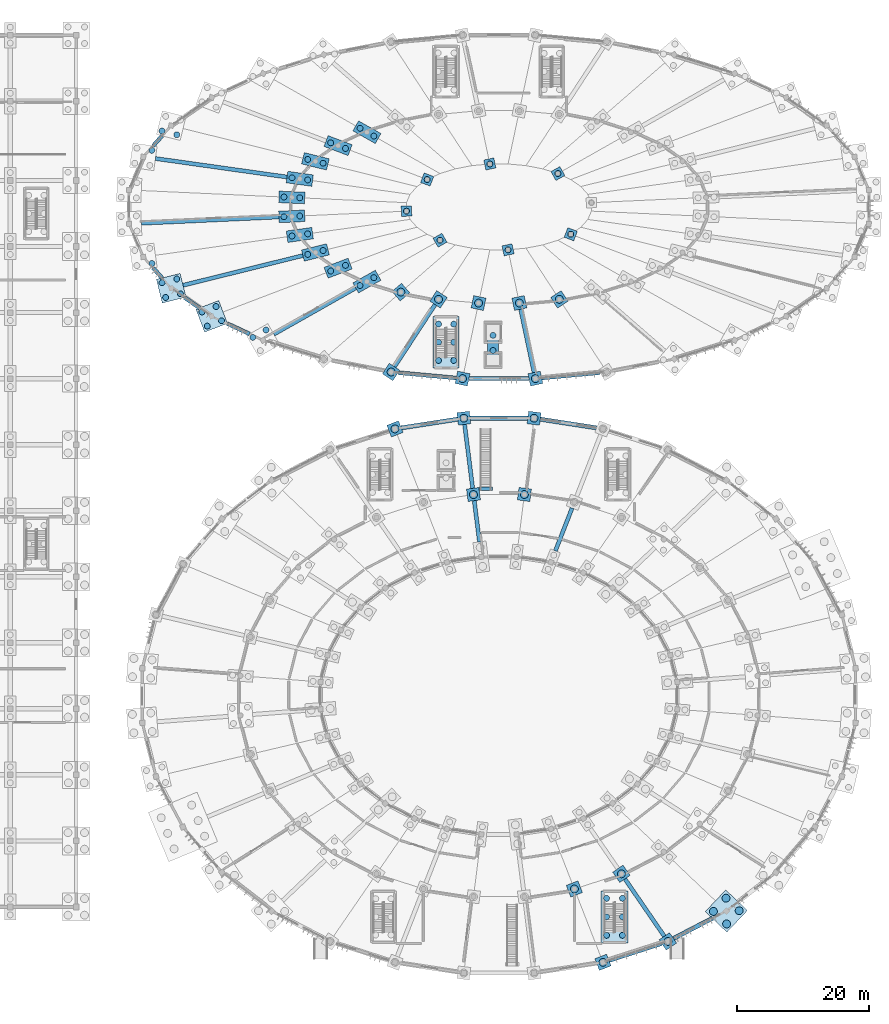
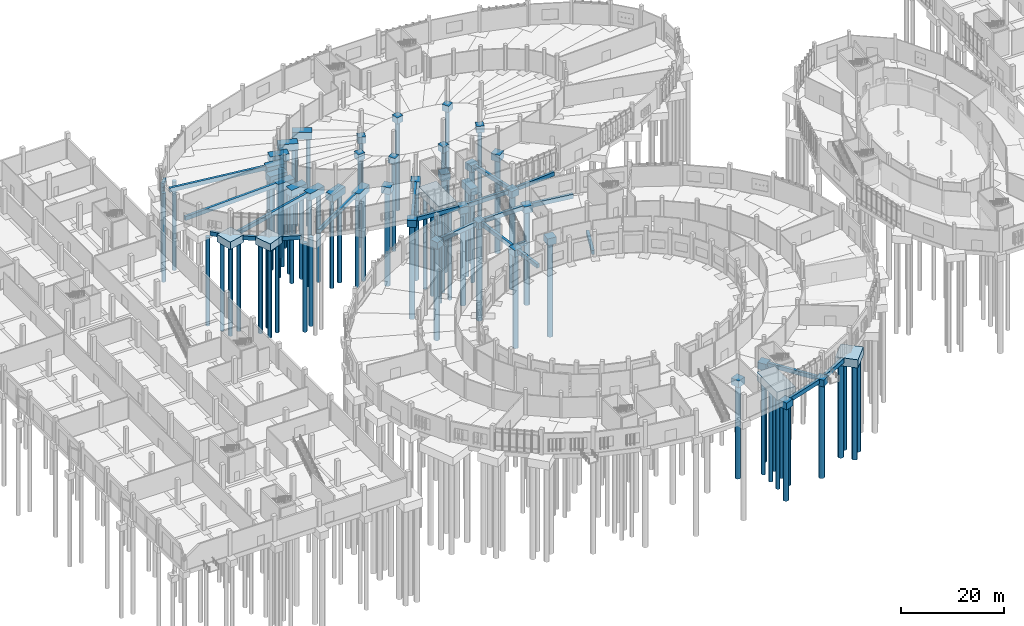
# One storey, part 6 of 140: 76 piles, 63 footings.
"""IFC4 building model written with IfcOpenShell, lengths in metres."""

from ifc_helpers import new_model, si_unit, direction, frame, origin, origin_2d, place, context, subcontext, project, spatial, rectangle, circle, extrude, material, layer, layer_set, material_profile, profile_set, type_object, element, save


model = new_model("IFC4")

# Units and contexts
model_context = context("Model", 3, precision=1e-05, world=origin(), true_north=direction((0.0, 1.0)))
body_context = subcontext(model_context, "Body", "Model", "MODEL_VIEW")
ifc_project = project(units=[si_unit("LENGTHUNIT", "METRE"), si_unit("AREAUNIT", "SQUARE_METRE"), si_unit("VOLUMEUNIT", "CUBIC_METRE"), si_unit("PLANEANGLEUNIT", "RADIAN"), si_unit("MASSUNIT", "GRAM", prefix="KILO")], contexts=[model_context])

# Site, building, storey
site_placement = place(None, origin())
site = spatial("IfcSite", under=ifc_project, at=site_placement, CompositionType="ELEMENT")
building_placement = place(site_placement, origin())
building = spatial("IfcBuilding", under=site, at=building_placement, Name="Corvandel Quay Wholesale Market", CompositionType="ELEMENT")
storey_placement = place(building_placement, origin())
storey = spatial("IfcBuildingStorey", under=building, at=storey_placement, Name="L00", CompositionType="ELEMENT", Elevation=0.0)

# Piles
ifc_material = material(Name="Concrete C40/50", Category="concrete")
ifc_material_profile_1 = material_profile(ifc_material, circle(Radius=0.60009765625, at=origin_2d()), Name="RC-PILE-D1200")
ifc_profile_set_1 = profile_set([ifc_material_profile_1], Name="Concrete C40/50")
pile_type_1 = type_object("IfcPileType", Name="Bored Pile D1200 L22.2", PredefinedType="BORED", material=ifc_profile_set_1)
for number, where, z_axis, x_axis, name in (
    (1, (119.319091796875, 84.0, -1.5), (0.0, 0.0, -1.0), (1.0, 0.0, 0.0), "Bored Pile PIL-0177"),
    (2, (117.85595703125, 72.449951171875, -1.5), (0.0, 0.0, -1.0), (1.0, 0.0, 0.0), "Bored Pile PIL-0178"),
    (3, (108.680908203125, 84.0, -1.5), (0.0, 0.0, -1.0), (1.0, 0.0, 0.0), "Bored Pile PIL-0181"),
    (4, (110.14404296875, 72.449951171875, -1.5), (0.0, 0.0, -1.0), (1.0, 0.0, 0.0), "Bored Pile PIL-0182"),
    (5, (98.2490234375, 82.385986328125, -1.5), (0.0, 0.0, -1.0), (1.0, 0.0, 0.0), "Bored Pile PIL-0185"),
    (6, (129.7509765625, 1.614013671875, -1.5), (0.0, 0.0, -1.0), (1.0, 0.0, 0.0), "Bored Pile PIL-0287"),
    (7, (125.419921875, 12.719970703125, -1.5), (0.0, 0.0, -1.0), (1.0, 0.0, 0.0), "Bored Pile PIL-0288"),
    (8, (139.5791015625, 4.780029296875, -1.5), (0.0, 0.0, -1.0), (1.0, 0.0, 0.0), "Bored Pile PIL-0291"),
    (9, (132.5439453125, 15.01611328125, -1.5), (0.0, 0.0, -1.0), (1.0, 0.0, 0.0), "Bored Pile PIL-0292"),
    (10, (148.47509765625, 7.425048828125, -1.860107421875), (0.0, 0.0, -1.0), (1.0, 0.0, 0.0), "Bored Pile PIL-0295"),
    (11, (150.3740234375, 9.427978515625, -1.860107421875), (0.0, 0.0, -1.0), (1.0, 0.0, 0.0), "Bored Pile PIL-0296"),
    (12, (146.471923828125, 9.323974609375, -1.860107421875), (0.0, 0.0, -1.0), (1.0, 0.0, 0.0), "Bored Pile PIL-0297"),
    (13, (148.37109375, 11.326904296875, -1.860107421875), (0.0, 0.0, -1.0), (1.0, 0.0, 0.0), "Bored Pile PIL-0298"),
    (14, (99.14501953125, 103.096923828125, -1.5), (0.0, 0.0, -1.0), (1.0, 0.0, 0.0), "Bored Pile PIL-0452"),
    (15, (97.6650390625, 90.9990234375, -1.5), (0.0, 0.0, -1.0), (1.0, 0.0, 0.0), "Bored Pile PIL-0453"),
    (16, (104.85302734375, 102.0, -1.5), (0.0, 0.0, -1.0), (1.0, 0.0, 0.0), "Bored Pile PIL-0454"),
    (17, (108.48388671875, 90.0, -1.5), (0.0, 0.0, -1.0), (1.0, 0.0, 0.0), "Bored Pile PIL-0455"),
    (18, (110.910888671875, 101.43994140625, -1.5), (0.0, 0.0, -1.0), (1.0, 0.0, 0.0), "Bored Pile PIL-0456"),
    (19, (119.51611328125, 90.0, -1.5), (0.0, 0.0, -1.0), (1.0, 0.0, 0.0), "Bored Pile PIL-0457"),
    (20, (117.089111328125, 101.43994140625, -1.5), (0.0, 0.0, -1.0), (1.0, 0.0, 0.0), "Bored Pile PIL-0458"),
    (21, (123.14697265625, 102.0, -1.5), (0.0, 0.0, -1.0), (1.0, 0.0, 0.0), "Bored Pile PIL-0461"),
):
    element("IfcPile", number, at=place(storey_placement, frame(where, z_axis=z_axis, x_axis=x_axis)), inside=storey, type_object=pile_type_1, Name=name, PredefinedType="BORED", context=body_context, shape_type="SweptSolid", body=[
        extrude(circle(Radius=0.60009765625, at=origin_2d()), origin(), (0.0, 0.0, 1.0), 22.199951171875),
    ])
ifc_material_profile_2 = material_profile(ifc_material, circle(Radius=0.449951171875, at=origin_2d()), Name="RC-PILE-D900")
ifc_profile_set_2 = profile_set([ifc_material_profile_2], Name="Concrete C40/50")
pile_type_2 = type_object("IfcPileType", Name="Bored Pile D900 L21.0", PredefinedType="BORED", material=ifc_profile_set_2)
for number, where, z_axis, x_axis, name in (
    (22, (113.10009765625, 94.25, -1.5), (0.0, 0.0, -1.0), (1.0, 0.0, 0.0), "Bored Pile PIL-0015"),
    (23, (113.10009765625, 96.550048828125, -1.5), (0.0, 0.0, -1.0), (1.0, 0.0, 0.0), "Bored Pile PIL-0016"),
    (24, (122.924072265625, 121.049072265625, -1.39990234375), (0.0, 0.0, -1.0), (1.0, 0.0, 0.0), "Bored Pile PIL-0366"),
    (25, (112.62109375, 122.5, -1.39990234375), (0.0, 0.0, -1.0), (1.0, 0.0, 0.0), "Bored Pile PIL-0379"),
    (26, (95.052978515625, 126.718017578125, -1.550048828125), (0.0, 0.0, -1.0), (1.0, 0.0, 0.0), "Bored Pile PIL-0392"),
    (27, (92.965087890625, 127.89990234375, -1.550048828125), (0.0, 0.0, -1.0), (1.0, 0.0, 0.0), "Bored Pile PIL-0393"),
    (28, (90.761962890625, 124.85400390625, -1.550048828125), (0.0, 0.0, -1.0), (1.0, 0.0, 0.0), "Bored Pile PIL-0398"),
    (29, (88.52001953125, 125.7080078125, -1.550048828125), (0.0, 0.0, -1.0), (1.0, 0.0, 0.0), "Bored Pile PIL-0399"),
    (30, (103.125, 120.14404296875, -1.39990234375), (0.0, 0.0, -1.0), (1.0, 0.0, 0.0), "Bored Pile PIL-0400"),
    (31, (65.2119140625, 126.923095703125, -1.64990234375), (0.0, 0.0, -1.0), (1.0, 0.0, 0.0), "Bored Pile PIL-0401"),
    (32, (62.97998046875, 127.47705078125, -1.64990234375), (0.0, 0.0, -1.0), (1.0, 0.0, 0.0), "Bored Pile PIL-0403"),
    (33, (87.3740234375, 122.60791015625, -1.550048828125), (0.0, 0.0, -1.0), (1.0, 0.0, 0.0), "Bored Pile PIL-0405"),
    (34, (85.0439453125, 123.18603515625, -1.550048828125), (0.0, 0.0, -1.0), (1.0, 0.0, 0.0), "Bored Pile PIL-0406"),
    (35, (61.450927734375, 124.56201171875, -1.64990234375), (0.0, 0.0, -1.0), (1.0, 0.0, 0.0), "Bored Pile PIL-0408"),
    (36, (85.032958984375, 120.080078125, -1.550048828125), (0.0, 0.0, -1.0), (1.0, 0.0, 0.0), "Bored Pile PIL-0411"),
    (37, (82.656982421875, 120.4140625, -1.550048828125), (0.0, 0.0, -1.0), (1.0, 0.0, 0.0), "Bored Pile PIL-0412"),
    (38, (83.839111328125, 117.37890625, -1.550048828125), (0.0, 0.0, -1.0), (1.0, 0.0, 0.0), "Bored Pile PIL-0417"),
    (39, (81.44091796875, 117.489013671875, -1.550048828125), (0.0, 0.0, -1.0), (1.0, 0.0, 0.0), "Bored Pile PIL-0418"),
    (40, (83.839111328125, 114.62109375, -1.550048828125), (0.0, 0.0, -1.0), (1.0, 0.0, 0.0), "Bored Pile PIL-0423"),
    (41, (81.44091796875, 114.510986328125, -1.550048828125), (0.0, 0.0, -1.0), (1.0, 0.0, 0.0), "Bored Pile PIL-0424"),
    (42, (100.0, 115.360107421875, -1.39990234375), (0.0, 0.0, -1.0), (1.0, 0.0, 0.0), "Bored Pile PIL-0425"),
    (43, (61.450927734375, 107.43798828125, -1.64990234375), (0.0, 0.0, -1.0), (1.0, 0.0, 0.0), "Bored Pile PIL-0426"),
    (44, (85.032958984375, 111.919921875, -1.550048828125), (0.0, 0.0, -1.0), (1.0, 0.0, 0.0), "Bored Pile PIL-0430"),
    (45, (82.656982421875, 111.5859375, -1.550048828125), (0.0, 0.0, -1.0), (1.0, 0.0, 0.0), "Bored Pile PIL-0431"),
    (46, (65.76611328125, 102.844970703125, -1.64990234375), (0.0, 0.0, -1.0), (1.0, 0.0, 0.0), "Bored Pile PIL-0432"),
    (47, (65.2119140625, 105.076904296875, -1.64990234375), (0.0, 0.0, -1.0), (1.0, 0.0, 0.0), "Bored Pile PIL-0433"),
    (48, (63.533935546875, 102.291015625, -1.64990234375), (0.0, 0.0, -1.0), (1.0, 0.0, 0.0), "Bored Pile PIL-0434"),
    (49, (62.97998046875, 104.52294921875, -1.64990234375), (0.0, 0.0, -1.0), (1.0, 0.0, 0.0), "Bored Pile PIL-0435"),
    (50, (87.3740234375, 109.39208984375, -1.550048828125), (0.0, 0.0, -1.0), (1.0, 0.0, 0.0), "Bored Pile PIL-0436"),
    (51, (85.0439453125, 108.81396484375, -1.550048828125), (0.0, 0.0, -1.0), (1.0, 0.0, 0.0), "Bored Pile PIL-0437"),
    (52, (71.986083984375, 98.760986328125, -1.64990234375), (0.0, 0.0, -1.0), (1.0, 0.0, 0.0), "Bored Pile PIL-0438"),
    (53, (71.1669921875, 100.909912109375, -1.64990234375), (0.0, 0.0, -1.0), (1.0, 0.0, 0.0), "Bored Pile PIL-0439"),
    (54, (69.8369140625, 97.94189453125, -1.64990234375), (0.0, 0.0, -1.0), (1.0, 0.0, 0.0), "Bored Pile PIL-0440"),
    (55, (69.01806640625, 100.091064453125, -1.64990234375), (0.0, 0.0, -1.0), (1.0, 0.0, 0.0), "Bored Pile PIL-0441"),
    (56, (90.761962890625, 107.14599609375, -1.550048828125), (0.0, 0.0, -1.0), (1.0, 0.0, 0.0), "Bored Pile PIL-0442"),
    (57, (88.52001953125, 106.2919921875, -1.550048828125), (0.0, 0.0, -1.0), (1.0, 0.0, 0.0), "Bored Pile PIL-0443"),
    (58, (78.737060546875, 97.37109375, -1.64990234375), (0.0, 0.0, -1.0), (1.0, 0.0, 0.0), "Bored Pile PIL-0445"),
    (59, (76.735107421875, 96.239013671875, -1.64990234375), (0.0, 0.0, -1.0), (1.0, 0.0, 0.0), "Bored Pile PIL-0447"),
    (60, (95.052978515625, 105.281982421875, -1.550048828125), (0.0, 0.0, -1.0), (1.0, 0.0, 0.0), "Bored Pile PIL-0448"),
    (61, (92.965087890625, 104.10009765625, -1.550048828125), (0.0, 0.0, -1.0), (1.0, 0.0, 0.0), "Bored Pile PIL-0449"),
    (62, (105.075927734375, 110.950927734375, -1.39990234375), (0.0, 0.0, -1.0), (1.0, 0.0, 0.0), "Bored Pile PIL-0450"),
    (63, (115.37890625, 109.5, -1.39990234375), (0.0, 0.0, -1.0), (1.0, 0.0, 0.0), "Bored Pile PIL-0459"),
    (64, (124.875, 111.85595703125, -1.39990234375), (0.0, 0.0, -1.0), (1.0, 0.0, 0.0), "Bored Pile PIL-0480"),
):
    element("IfcPile", number, at=place(storey_placement, frame(where, z_axis=z_axis, x_axis=x_axis)), inside=storey, type_object=pile_type_2, Name=name, PredefinedType="BORED", context=body_context, shape_type="SweptSolid", body=[
        extrude(circle(Radius=0.449951171875, at=origin_2d()), origin(), (0.0, 0.0, 1.0), 21.0),
    ])
ifc_material_profile_3 = material_profile(ifc_material, circle(Radius=0.449951171875, at=origin_2d()), Name="RC-PILE-D900")
ifc_profile_set_3 = profile_set([ifc_material_profile_3], Name="Concrete C40/50")
pile_type_3 = type_object("IfcPileType", Name="Bored Pile D900 L21.8", PredefinedType="BORED", material=ifc_profile_set_3)
for number, where, z_axis, x_axis, name in (
    (65, (104.85009765625, 92.75, -1.800048828125), (0.0, 0.0, -1.0), (1.0, 0.0, 0.0), "Bored Pile PIL-0009"),
    (66, (107.14990234375, 92.75, -1.800048828125), (0.0, 0.0, -1.0), (1.0, 0.0, 0.0), "Bored Pile PIL-0010"),
    (67, (104.85009765625, 95.5, -1.800048828125), (0.0, 0.0, -1.0), (1.0, 0.0, 0.0), "Bored Pile PIL-0011"),
    (68, (107.14990234375, 95.5, -1.800048828125), (0.0, 0.0, -1.0), (1.0, 0.0, 0.0), "Bored Pile PIL-0012"),
    (69, (104.85009765625, 98.25, -1.800048828125), (0.0, 0.0, -1.0), (1.0, 0.0, 0.0), "Bored Pile PIL-0013"),
    (70, (107.14990234375, 98.25, -1.800048828125), (0.0, 0.0, -1.0), (1.0, 0.0, 0.0), "Bored Pile PIL-0014"),
    (71, (130.300048828125, 5.699951171875, -1.85009765625), (0.0, 0.0, -1.0), (1.0, 0.0, 0.0), "Bored Pile PIL-0053"),
    (72, (132.699951171875, 5.699951171875, -1.85009765625), (0.0, 0.0, -1.0), (1.0, 0.0, 0.0), "Bored Pile PIL-0054"),
    (73, (130.300048828125, 8.5, -1.85009765625), (0.0, 0.0, -1.0), (1.0, 0.0, 0.0), "Bored Pile PIL-0055"),
    (74, (132.699951171875, 8.5, -1.85009765625), (0.0, 0.0, -1.0), (1.0, 0.0, 0.0), "Bored Pile PIL-0056"),
    (75, (130.300048828125, 11.300048828125, -1.85009765625), (0.0, 0.0, -1.0), (1.0, 0.0, 0.0), "Bored Pile PIL-0057"),
    (76, (132.699951171875, 11.300048828125, -1.85009765625), (0.0, 0.0, -1.0), (1.0, 0.0, 0.0), "Bored Pile PIL-0058"),
):
    element("IfcPile", number, at=place(storey_placement, frame(where, z_axis=z_axis, x_axis=x_axis)), inside=storey, type_object=pile_type_3, Name=name, PredefinedType="BORED", context=body_context, shape_type="SweptSolid", body=[
        extrude(circle(Radius=0.449951171875, at=origin_2d()), origin(), (0.0, 0.0, 1.0), 21.800048828125),
    ])

# Footings
ifc_layer_1 = layer(ifc_material, 0.89990234375)
ifc_layer_set_1 = layer_set([ifc_layer_1], Name="Concrete C40/50")
footing_type_1 = type_object("IfcFootingType", Name="Perimeter Grade Beam GB03 550x900", PredefinedType="FOOTING_BEAM", material=ifc_layer_set_1)
footing_1_placement = place(storey_placement, frame((112.0, 73.300048828125, -0.89990234375), z_axis=(0.0, 0.0, 1.0), x_axis=(1.0, 0.0, 0.0)))
element("IfcFooting", 77, at=footing_1_placement, inside=storey, type_object=footing_type_1, Name="Stair Toe Grade Beam FND-0776", PredefinedType="FOOTING_BEAM", context=body_context, shape_type="SweptSolid", body=[
    extrude(rectangle(XDim=2.0, YDim=0.550048828125, at=origin_2d()), origin(), (0.0, 0.0, 1.0), 0.89990234375),
])
ifc_layer_2 = layer(ifc_material, 1.60009765625)
ifc_layer_set_2 = layer_set([ifc_layer_2], Name="Concrete C40/50")
footing_type_2 = type_object("IfcFootingType", Name="Pile Cap PC01 1600x3700x1600", PredefinedType="PILE_CAP", material=ifc_layer_set_2)
footing_2_placement = place(storey_placement, frame((113.10009765625, 95.39990234375, -1.60009765625), z_axis=(0.0, 0.0, 1.0), x_axis=(1.0, 0.0, 0.0)))
element("IfcFooting", 78, at=footing_2_placement, inside=storey, type_object=footing_type_2, Name="Pile Cap FND-0004", PredefinedType="PILE_CAP", context=body_context, shape_type="SweptSolid", body=[
    extrude(rectangle(XDim=1.60009765625, YDim=3.699951171875, at=origin_2d()), origin(), (0.0, 0.0, 1.0), 1.60009765625),
])
ifc_layer_3 = layer(ifc_material, 1.64990234375)
ifc_layer_set_3 = layer_set([ifc_layer_3], Name="Concrete C40/50")
footing_type_3 = type_object("IfcFootingType", Name="Pile Cap PC03 1750x3900x1650", PredefinedType="PILE_CAP", material=ifc_layer_set_3)
for number, where, z_axis, x_axis, name in (
    (79, (94.009033203125, 127.30908203125, -1.64990234375), (0.0, 0.0, 1.0), (0.492423560103, 0.87035569594, 0.0), "Pile Cap FND-0241"),
    (80, (89.64111328125, 125.281005859375, -1.64990234375), (0.0, 0.0, 1.0), (0.356085714679, 0.934453296747, 0.0), "Pile Cap FND-0243"),
    (81, (86.208984375, 122.89697265625, -1.64990234375), (0.0, 0.0, 1.0), (0.240905671828, 0.970548534222, 0.0), "Pile Cap FND-0246"),
    (82, (83.844970703125, 120.2470703125, -1.64990234375), (0.0, 0.0, 1.0), (0.13951876124, 0.990219427835, 0.0), "Pile Cap FND-0248"),
    (83, (82.639892578125, 117.43408203125, -1.64990234375), (0.0, 0.0, 1.0), (0.04571169187, 0.99895467426, 0.0), "Pile Cap FND-0250"),
    (84, (82.639892578125, 114.56591796875, -1.64990234375), (0.0, 0.0, 1.0), (-0.04571169187, 0.99895467426, 0.0), "Pile Cap FND-0252"),
    (85, (83.844970703125, 111.7529296875, -1.64990234375), (0.0, 0.0, 1.0), (-0.13951876124, 0.990219427835, 0.0), "Pile Cap FND-0255"),
    (86, (86.208984375, 109.10302734375, -1.64990234375), (0.0, 0.0, 1.0), (-0.240905671828, 0.970548534222, 0.0), "Pile Cap FND-0257"),
    (87, (89.64111328125, 106.718994140625, -1.64990234375), (0.0, 0.0, 1.0), (-0.356085714679, 0.934453296747, 0.0), "Pile Cap FND-0259"),
    (88, (94.009033203125, 104.69091796875, -1.64990234375), (0.0, 0.0, 1.0), (-0.492423560103, 0.87035569594, 0.0), "Pile Cap FND-0261"),
):
    element("IfcFooting", number, at=place(storey_placement, frame(where, z_axis=z_axis, x_axis=x_axis)), inside=storey, type_object=footing_type_3, Name=name, PredefinedType="PILE_CAP", context=body_context, shape_type="SweptSolid", body=[
        extrude(rectangle(XDim=1.75, YDim=3.89990234375, at=origin_2d()), origin(), (0.0, 0.0, 1.0), 1.64990234375),
    ])
ifc_layer_4 = layer(ifc_material, 1.75)
ifc_layer_set_4 = layer_set([ifc_layer_4], Name="Concrete C40/50")
footing_type_4 = type_object("IfcFootingType", Name="Pile Cap PC05 3700x3700x1750", PredefinedType="PILE_CAP", material=ifc_layer_set_4)
for number, where, z_axis, x_axis, name in (
    (89, (64.373046875, 103.68408203125, -1.75), (0.0, 0.0, 1.0), (-0.240905671828, 0.970548534222, 0.0), "Pile Cap FND-0256"),
    (90, (70.501953125, 99.426025390625, -1.75), (0.0, 0.0, 1.0), (-0.356085714679, 0.934453296747, 0.0), "Pile Cap FND-0258"),
):
    element("IfcFooting", number, at=place(storey_placement, frame(where, z_axis=z_axis, x_axis=x_axis)), inside=storey, type_object=footing_type_4, Name=name, PredefinedType="PILE_CAP", context=body_context, shape_type="SweptSolid", body=[
        extrude(rectangle(XDim=3.699951171875, YDim=3.699951171875, at=origin_2d()), origin(), (0.0, 0.0, 1.0), 1.75),
    ])
ifc_layer_5 = layer(ifc_material, 1.5)
ifc_layer_set_5 = layer_set([ifc_layer_5], Name="Concrete C40/50")
footing_type_5 = type_object("IfcFootingType", Name="Pile Cap PC15 1550x1550x1500", PredefinedType="PILE_CAP", material=ifc_layer_set_5)
for number, where, z_axis, x_axis, name in (
    (91, (122.924072265625, 121.049072265625, -1.5), (0.0, 0.0, 1.0), (-0.492423560103, 0.87035569594, 0.0), "Pile Cap FND-0226"),
    (92, (112.62109375, 122.5, -1.5), (0.0, 0.0, 1.0), (0.978220116011, 0.207570240234, 0.0), "Pile Cap FND-0235"),
    (93, (103.125, 120.14404296875, -1.5), (0.0, 0.0, 1.0), (0.356085714679, 0.934453296747, 0.0), "Pile Cap FND-0244"),
    (94, (100.0, 115.360107421875, -1.5), (0.0, 0.0, 1.0), (-0.04571169187, 0.99895467426, 0.0), "Pile Cap FND-0253"),
    (95, (105.075927734375, 110.950927734375, -1.5), (0.0, 0.0, 1.0), (-0.492423560103, 0.87035569594, 0.0), "Pile Cap FND-0262"),
    (96, (115.37890625, 109.5, -1.5), (0.0, 0.0, 1.0), (0.978220116011, 0.207570240234, 0.0), "Pile Cap FND-0271"),
    (97, (124.875, 111.85595703125, -1.5), (0.0, 0.0, 1.0), (0.356085714679, 0.934453296747, 0.0), "Pile Cap FND-0280"),
):
    element("IfcFooting", number, at=place(storey_placement, frame(where, z_axis=z_axis, x_axis=x_axis)), inside=storey, type_object=footing_type_5, Name=name, PredefinedType="PILE_CAP", context=body_context, shape_type="SweptSolid", body=[
        extrude(rectangle(XDim=1.550048828125, YDim=1.550048828125, at=origin_2d()), origin(), (0.0, 0.0, 1.0), 1.5),
    ])
ifc_layer_6 = layer(ifc_material, 1.60009765625)
ifc_layer_set_6 = layer_set([ifc_layer_6], Name="Concrete C40/50")
footing_type_6 = type_object("IfcFootingType", Name="Pile Cap PC16 1900x1900x1600", PredefinedType="PILE_CAP", material=ifc_layer_set_6)
for number, where, z_axis, x_axis, name in (
    (98, (119.319091796875, 84.0, -1.60009765625), (0.0, 0.0, 1.0), (-0.992070891321, 0.125679539283, 0.0), "Pile Cap FND-0044"),
    (99, (117.85595703125, 72.449951171875, -1.60009765625), (0.0, 0.0, 1.0), (-0.992070891321, 0.125679539283, 0.0), "Pile Cap FND-0045"),
    (100, (108.680908203125, 84.0, -1.60009765625), (0.0, 0.0, 1.0), (0.992070891321, 0.125679539283, 0.0), "Pile Cap FND-0047"),
    (101, (110.14404296875, 72.449951171875, -1.60009765625), (0.0, 0.0, 1.0), (0.992070891321, 0.125679539283, 0.0), "Pile Cap FND-0048"),
    (102, (98.2490234375, 82.385986328125, -1.60009765625), (0.0, 0.0, 1.0), (0.931627814096, 0.363413835735, 0.0), "Pile Cap FND-0050"),
    (103, (129.7509765625, 1.614013671875, -1.60009765625), (0.0, 0.0, 1.0), (0.931627814096, 0.363413835735, 0.0), "Pile Cap FND-0098"),
    (104, (125.419921875, 12.719970703125, -1.60009765625), (0.0, 0.0, 1.0), (0.931627814096, 0.363413835735, 0.0), "Pile Cap FND-0099"),
    (105, (139.5791015625, 4.780029296875, -1.60009765625), (0.0, 0.0, 1.0), (0.824126188622, 0.566406236925, 0.0), "Pile Cap FND-0101"),
    (106, (132.5439453125, 15.01611328125, -1.60009765625), (0.0, 0.0, 1.0), (0.824126188622, 0.566406236925, 0.0), "Pile Cap FND-0102"),
    (107, (99.14501953125, 103.096923828125, -1.60009765625), (0.0, 0.0, 1.0), (-0.655795545685, 0.754938542041, 0.0), "Pile Cap FND-0264"),
    (108, (97.6650390625, 90.9990234375, -1.60009765625), (0.0, 0.0, 1.0), (-0.837146380758, 0.546978918409, 0.0), "Pile Cap FND-0265"),
    (109, (104.85302734375, 102.0, -1.60009765625), (0.0, 0.0, 1.0), (-0.837146380758, 0.546978918409, 0.0), "Pile Cap FND-0266"),
    (110, (108.48388671875, 90.0, -1.60009765625), (0.0, 0.0, 1.0), (-0.978220116011, 0.207570240234, 0.0), "Pile Cap FND-0267"),
    (111, (110.910888671875, 101.43994140625, -1.60009765625), (0.0, 0.0, 1.0), (-0.978220116011, 0.207570240234, 0.0), "Pile Cap FND-0268"),
    (112, (119.51611328125, 90.0, -1.60009765625), (0.0, 0.0, 1.0), (0.978220116011, 0.207570240234, 0.0), "Pile Cap FND-0269"),
    (113, (117.089111328125, 101.43994140625, -1.60009765625), (0.0, 0.0, 1.0), (0.978220116011, 0.207570240234, 0.0), "Pile Cap FND-0270"),
    (114, (123.14697265625, 102.0, -1.60009765625), (0.0, 0.0, 1.0), (0.837146380758, 0.546978918409, 0.0), "Pile Cap FND-0273"),
):
    element("IfcFooting", number, at=place(storey_placement, frame(where, z_axis=z_axis, x_axis=x_axis)), inside=storey, type_object=footing_type_6, Name=name, PredefinedType="PILE_CAP", context=body_context, shape_type="SweptSolid", body=[
        extrude(rectangle(XDim=1.89990234375, YDim=1.89990234375, at=origin_2d()), origin(), (0.0, 0.0, 1.0), 1.60009765625),
    ])
ifc_layer_7 = layer(ifc_material, 1.9599609375)
ifc_layer_set_7 = layer_set([ifc_layer_7], Name="Concrete C40/50")
footing_type_7 = type_object("IfcFootingType", Name="Pile Cap PC23 4520x4520x1960", PredefinedType="PILE_CAP", material=ifc_layer_set_7)
footing_3_placement = place(storey_placement, frame((148.423095703125, 9.3759765625, -1.9599609375), z_axis=(0.0, 0.0, 1.0), x_axis=(0.687848001144, 0.725854756355, 0.0)))
element("IfcFooting", 115, at=footing_3_placement, inside=storey, type_object=footing_type_7, Name="Pile Cap FND-0104", PredefinedType="PILE_CAP", context=body_context, shape_type="SweptSolid", body=[
    extrude(rectangle(XDim=4.52001953125, YDim=4.52001953125, at=origin_2d()), origin(), (0.0, 0.0, 1.0), 1.9599609375),
])
ifc_layer_8 = layer(ifc_material, 0.949951171875)
ifc_layer_set_8 = layer_set([ifc_layer_8], Name="Concrete C40/50")
footing_type_8 = type_object("IfcFootingType", Name="Seismic Tie Beam GB01 600x950", PredefinedType="FOOTING_BEAM", material=ifc_layer_set_8)
footing_4_placement = place(storey_placement, frame((123.81103515625, 67.156005859375, -0.9501953125), z_axis=(0.0, 0.0, 1.0), x_axis=(0.363413835735, 0.931627814096, 0.0)))
element("IfcFooting", 116, at=footing_4_placement, inside=storey, type_object=footing_type_8, Name="Grade Beam FND-0140", PredefinedType="FOOTING_BEAM", context=body_context, shape_type="SweptSolid", body=[
    extrude(rectangle(XDim=6.9541015625, YDim=0.60009765625, at=origin_2d()), origin(), (0.0, 0.0, 1.0), 0.949951171875),
])
footing_5_placement = place(storey_placement, frame((109.412109375, 78.22509765625, -0.9501953125), z_axis=(0.0, 0.0, 1.0), x_axis=(-0.125679539283, 0.992070891321, 0.0)))
element("IfcFooting", 117, at=footing_5_placement, inside=storey, type_object=footing_type_8, Name="Grade Beam FND-0145", PredefinedType="FOOTING_BEAM", context=body_context, shape_type="SweptSolid", body=[
    extrude(rectangle(XDim=9.741943359375, YDim=0.60009765625, at=origin_2d()), origin(), (0.0, 0.0, 1.0), 0.949951171875),
])
footing_6_placement = place(storey_placement, frame((110.657958984375, 68.39501953125, -0.9501953125), z_axis=(0.0, 0.0, 1.0), x_axis=(-0.125679539283, 0.992070891321, 0.0)))
element("IfcFooting", 118, at=footing_6_placement, inside=storey, type_object=footing_type_8, Name="Grade Beam FND-0146", PredefinedType="FOOTING_BEAM", context=body_context, shape_type="SweptSolid", body=[
    extrude(rectangle(XDim=6.27490234375, YDim=0.60009765625, at=origin_2d()), origin(), (0.0, 0.0, 1.0), 0.949951171875),
])
footing_7_placement = place(storey_placement, frame((136.06103515625, 9.89794921875, -0.9501953125), z_axis=(0.0, 0.0, 1.0), x_axis=(-0.566406236925, 0.824126188622, 0.0)))
element("IfcFooting", 119, at=footing_7_placement, inside=storey, type_object=footing_type_8, Name="Grade Beam FND-0199", PredefinedType="FOOTING_BEAM", context=body_context, shape_type="SweptSolid", body=[
    extrude(rectangle(XDim=10.52001953125, YDim=0.60009765625, at=origin_2d()), origin(), (0.0, 0.0, 1.0), 0.949951171875),
])
footing_8_placement = place(storey_placement, frame((62.306884765625, 126.0, -0.9501953125), z_axis=(0.0, 0.0, 1.0), x_axis=(0.665621202286, 0.746289766155, 0.0)))
element("IfcFooting", 120, at=footing_8_placement, inside=storey, type_object=footing_type_8, Name="Grade Beam FND-0307", PredefinedType="FOOTING_BEAM", context=body_context, shape_type="SweptSolid", body=[
    extrude(rectangle(XDim=2.02587890625, YDim=0.60009765625, at=origin_2d()), origin(), (0.0, 0.0, 1.0), 0.949951171875),
])
footing_9_placement = place(storey_placement, frame((71.948974609375, 121.922119140625, -0.9501953125), z_axis=(0.0, 0.0, 1.0), x_axis=(-0.990219427835, 0.13951876124, 0.0)))
element("IfcFooting", 121, at=footing_9_placement, inside=storey, type_object=footing_type_8, Name="Grade Beam FND-0309", PredefinedType="FOOTING_BEAM", context=body_context, shape_type="SweptSolid", body=[
    extrude(rectangle(XDim=20.126953125, YDim=0.60009765625, at=origin_2d()), origin(), (0.0, 0.0, 1.0), 0.949951171875),
])
footing_10_placement = place(storey_placement, frame((70.27001953125, 114.0, -0.9501953125), z_axis=(0.0, 0.0, 1.0), x_axis=(0.99895467426, 0.04571169187, 0.0)))
element("IfcFooting", 122, at=footing_10_placement, inside=storey, type_object=footing_type_8, Name="Grade Beam FND-0312", PredefinedType="FOOTING_BEAM", context=body_context, shape_type="SweptSolid", body=[
    extrude(rectangle(XDim=20.865966796875, YDim=0.60009765625, at=origin_2d()), origin(), (0.0, 0.0, 1.0), 0.949951171875),
])
footing_11_placement = place(storey_placement, frame((62.306884765625, 106.0, -0.9501953125), z_axis=(0.0, 0.0, 1.0), x_axis=(-0.665621202286, 0.746289766155, 0.0)))
element("IfcFooting", 123, at=footing_11_placement, inside=storey, type_object=footing_type_8, Name="Grade Beam FND-0313", PredefinedType="FOOTING_BEAM", context=body_context, shape_type="SweptSolid", body=[
    extrude(rectangle(XDim=2.02587890625, YDim=0.60009765625, at=origin_2d()), origin(), (0.0, 0.0, 1.0), 0.949951171875),
])
footing_12_placement = place(storey_placement, frame((67.528076171875, 101.491943359375, -0.9501953125), z_axis=(0.0, 0.0, 1.0), x_axis=(-0.821248804935, 0.570570241419, 0.0)))
element("IfcFooting", 124, at=footing_12_placement, inside=storey, type_object=footing_type_8, Name="Grade Beam FND-0314", PredefinedType="FOOTING_BEAM", context=body_context, shape_type="SweptSolid", body=[
    extrude(rectangle(XDim=2.760986328125, YDim=0.60009765625, at=origin_2d()), origin(), (0.0, 0.0, 1.0), 0.949951171875),
])
footing_13_placement = place(storey_placement, frame((75.241943359375, 106.381103515625, -0.9501953125), z_axis=(0.0, 0.0, 1.0), x_axis=(0.970548534222, 0.240905671828, 0.0)))
element("IfcFooting", 125, at=footing_13_placement, inside=storey, type_object=footing_type_8, Name="Grade Beam FND-0315", PredefinedType="FOOTING_BEAM", context=body_context, shape_type="SweptSolid", body=[
    extrude(rectangle(XDim=18.697998046875, YDim=0.60009765625, at=origin_2d()), origin(), (0.0, 0.0, 1.0), 0.949951171875),
])
footing_14_placement = place(storey_placement, frame((74.541015625, 97.550048828125, -0.9501953125), z_axis=(0.0, 0.0, 1.0), x_axis=(-0.906970515865, 0.421194115999, 0.0)))
element("IfcFooting", 126, at=footing_14_placement, inside=storey, type_object=footing_type_8, Name="Grade Beam FND-0316", PredefinedType="FOOTING_BEAM", context=body_context, shape_type="SweptSolid", body=[
    extrude(rectangle(XDim=3.742919921875, YDim=0.60009765625, at=origin_2d()), origin(), (0.0, 0.0, 1.0), 0.949951171875),
])
footing_15_placement = place(storey_placement, frame((86.112060546875, 100.222900390625, -0.9501953125), z_axis=(0.0, 0.0, 1.0), x_axis=(0.87035569594, 0.492423560103, 0.0)))
element("IfcFooting", 127, at=footing_15_placement, inside=storey, type_object=footing_type_8, Name="Grade Beam FND-0318", PredefinedType="FOOTING_BEAM", context=body_context, shape_type="SweptSolid", body=[
    extrude(rectangle(XDim=14.2470703125, YDim=0.60009765625, at=origin_2d()), origin(), (0.0, 0.0, 1.0), 0.949951171875),
])
footing_16_placement = place(storey_placement, frame((103.133056640625, 90.493896484375, -0.9501953125), z_axis=(0.0, 0.0, 1.0), x_axis=(-0.995756880939, 0.092023008338, 0.0)))
element("IfcFooting", 128, at=footing_16_placement, inside=storey, type_object=footing_type_8, Name="Grade Beam FND-0320", PredefinedType="FOOTING_BEAM", context=body_context, shape_type="SweptSolid", body=[
    extrude(rectangle(XDim=8.833984375, YDim=0.60009765625, at=origin_2d()), origin(), (0.0, 0.0, 1.0), 0.949951171875),
])
footing_17_placement = place(storey_placement, frame((101.259033203125, 96.5, -0.9501953125), z_axis=(0.0, 0.0, 1.0), x_axis=(0.546978918409, 0.837146380758, 0.0)))
element("IfcFooting", 129, at=footing_17_placement, inside=storey, type_object=footing_type_8, Name="Grade Beam FND-0321", PredefinedType="FOOTING_BEAM", context=body_context, shape_type="SweptSolid", body=[
    extrude(rectangle(XDim=11.240966796875, YDim=0.60009765625, at=origin_2d()), origin(), (0.0, 0.0, 1.0), 0.949951171875),
])
footing_18_placement = place(storey_placement, frame((114.0, 90.0, -0.9501953125), z_axis=(0.0, 0.0, 1.0), x_axis=(1.0, 0.0, 0.0)))
element("IfcFooting", 130, at=footing_18_placement, inside=storey, type_object=footing_type_8, Name="Grade Beam FND-0322", PredefinedType="FOOTING_BEAM", context=body_context, shape_type="SweptSolid", body=[
    extrude(rectangle(XDim=9.090087890625, YDim=0.60009765625, at=origin_2d()), origin(), (0.0, 0.0, 1.0), 0.949951171875),
])
footing_19_placement = place(storey_placement, frame((124.866943359375, 90.493896484375, -0.9501953125), z_axis=(0.0, 0.0, 1.0), x_axis=(0.995756880939, 0.092023008338, 0.0)))
element("IfcFooting", 131, at=footing_19_placement, inside=storey, type_object=footing_type_8, Name="Grade Beam FND-0323", PredefinedType="FOOTING_BEAM", context=body_context, shape_type="SweptSolid", body=[
    extrude(rectangle(XDim=8.833984375, YDim=0.60009765625, at=origin_2d()), origin(), (0.0, 0.0, 1.0), 0.949951171875),
])
footing_20_placement = place(storey_placement, frame((118.302001953125, 95.719970703125, -0.9501953125), z_axis=(0.0, 0.0, 1.0), x_axis=(-0.207570240234, 0.978220116011, 0.0)))
element("IfcFooting", 132, at=footing_20_placement, inside=storey, type_object=footing_type_8, Name="Grade Beam FND-0324", PredefinedType="FOOTING_BEAM", context=body_context, shape_type="SweptSolid", body=[
    extrude(rectangle(XDim=9.794921875, YDim=0.60009765625, at=origin_2d()), origin(), (0.0, 0.0, 1.0), 0.949951171875),
])
ifc_layer_9 = layer(ifc_material, 1.0)
ifc_layer_set_9 = layer_set([ifc_layer_9], Name="Concrete C40/50")
footing_type_9 = type_object("IfcFootingType", Name="Seismic Tie Beam GB02 650x1000", PredefinedType="FOOTING_BEAM", material=ifc_layer_set_9)
footing_21_placement = place(storey_placement, frame((124.52392578125, 83.195068359375, -1.0), z_axis=(0.0, 0.0, 1.0), x_axis=(-0.98825506746, 0.152813355565, 0.0)))
element("IfcFooting", 133, at=footing_21_placement, inside=storey, type_object=footing_type_9, Name="Grade Beam FND-0137", PredefinedType="FOOTING_BEAM", context=body_context, shape_type="SweptSolid", body=[
    extrude(rectangle(XDim=8.633056640625, YDim=0.64990234375, at=origin_2d()), origin(), (0.0, 0.0, 1.0), 1.0),
])
footing_22_placement = place(storey_placement, frame((114.0, 84.0, -1.0), z_axis=(0.0, 0.0, 1.0), x_axis=(1.0, 0.0, 0.0)))
element("IfcFooting", 134, at=footing_22_placement, inside=storey, type_object=footing_type_9, Name="Grade Beam FND-0141", PredefinedType="FOOTING_BEAM", context=body_context, shape_type="SweptSolid", body=[
    extrude(rectangle(XDim=8.722900390625, YDim=0.64990234375, at=origin_2d()), origin(), (0.0, 0.0, 1.0), 1.0),
])
footing_23_placement = place(storey_placement, frame((103.47607421875, 83.195068359375, -1.0), z_axis=(0.0, 0.0, 1.0), x_axis=(0.98825506746, 0.152813355565, 0.0)))
element("IfcFooting", 135, at=footing_23_placement, inside=storey, type_object=footing_type_9, Name="Grade Beam FND-0143", PredefinedType="FOOTING_BEAM", context=body_context, shape_type="SweptSolid", body=[
    extrude(rectangle(XDim=8.633056640625, YDim=0.64990234375, at=origin_2d()), origin(), (0.0, 0.0, 1.0), 1.0),
])
footing_24_placement = place(storey_placement, frame((134.64599609375, 3.19091796875, -1.0), z_axis=(0.0, 0.0, 1.0), x_axis=(0.951808747363, 0.306692204733, 0.0)))
element("IfcFooting", 136, at=footing_24_placement, inside=storey, type_object=footing_type_9, Name="Grade Beam FND-0195", PredefinedType="FOOTING_BEAM", context=body_context, shape_type="SweptSolid", body=[
    extrude(rectangle(XDim=8.382080078125, YDim=0.64990234375, at=origin_2d()), origin(), (0.0, 0.0, 1.0), 1.0),
])
footing_25_placement = place(storey_placement, frame((143.364990234375, 6.7470703125, -1.0), z_axis=(0.0, 0.0, 1.0), x_axis=(0.887332978338, 0.461129250378, 0.0)))
element("IfcFooting", 137, at=footing_25_placement, inside=storey, type_object=footing_type_9, Name="Grade Beam FND-0197", PredefinedType="FOOTING_BEAM", context=body_context, shape_type="SweptSolid", body=[
    extrude(rectangle(XDim=6.617919921875, YDim=0.64990234375, at=origin_2d()), origin(), (0.0, 0.0, 1.0), 1.0),
])
ifc_layer_10 = layer(ifc_material, 1.89990234375)
ifc_layer_set_10 = layer_set([ifc_layer_10], Name="Concrete C40/50")
footing_type_10 = type_object("IfcFootingType", Name="Shaft Pile Cap PC13 3900x7800x1900", PredefinedType="PILE_CAP", material=ifc_layer_set_10)
footing_26_placement = place(storey_placement, frame((106.0, 95.5, -1.89990234375), z_axis=(0.0, 0.0, 1.0), x_axis=(1.0, 0.0, 0.0)))
element("IfcFooting", 138, at=footing_26_placement, inside=storey, type_object=footing_type_10, Name="Pile Cap FND-0003", PredefinedType="PILE_CAP", context=body_context, shape_type="SweptSolid", body=[
    extrude(rectangle(XDim=3.89990234375, YDim=7.800048828125, at=origin_2d()), origin(), (0.0, 0.0, 1.0), 1.89990234375),
])
ifc_layer_11 = layer(ifc_material, 1.949951171875)
ifc_layer_set_11 = layer_set([ifc_layer_11], Name="Concrete C40/50")
footing_type_11 = type_object("IfcFootingType", Name="Shaft Pile Cap PC14 4050x7900x1950", PredefinedType="PILE_CAP", material=ifc_layer_set_11)
footing_27_placement = place(storey_placement, frame((131.5, 8.5, -1.9501953125), z_axis=(0.0, 0.0, 1.0), x_axis=(1.0, 0.0, 0.0)))
element("IfcFooting", 139, at=footing_27_placement, inside=storey, type_object=footing_type_11, Name="Pile Cap FND-0011", PredefinedType="PILE_CAP", context=body_context, shape_type="SweptSolid", body=[
    extrude(rectangle(XDim=4.050048828125, YDim=7.89990234375, at=origin_2d()), origin(), (0.0, 0.0, 1.0), 1.949951171875),
])

save(model, "model.ifc")
